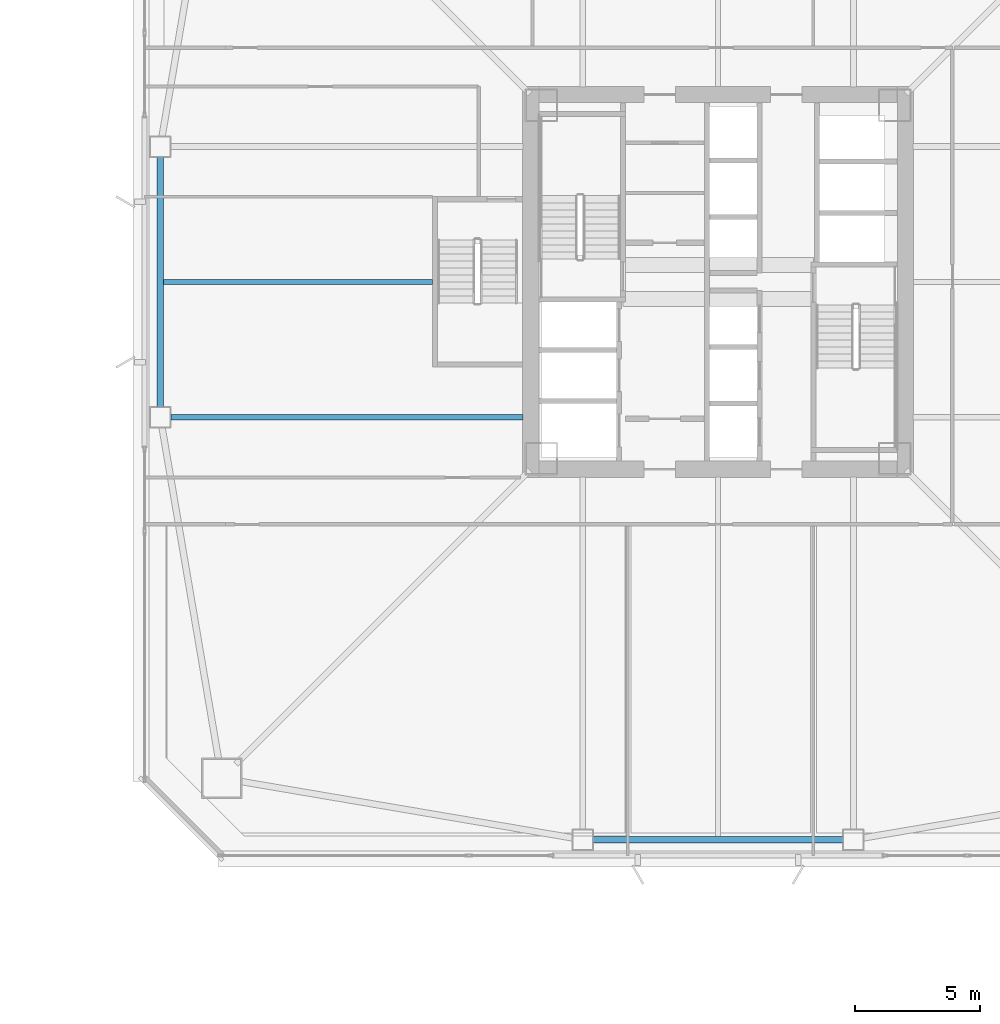
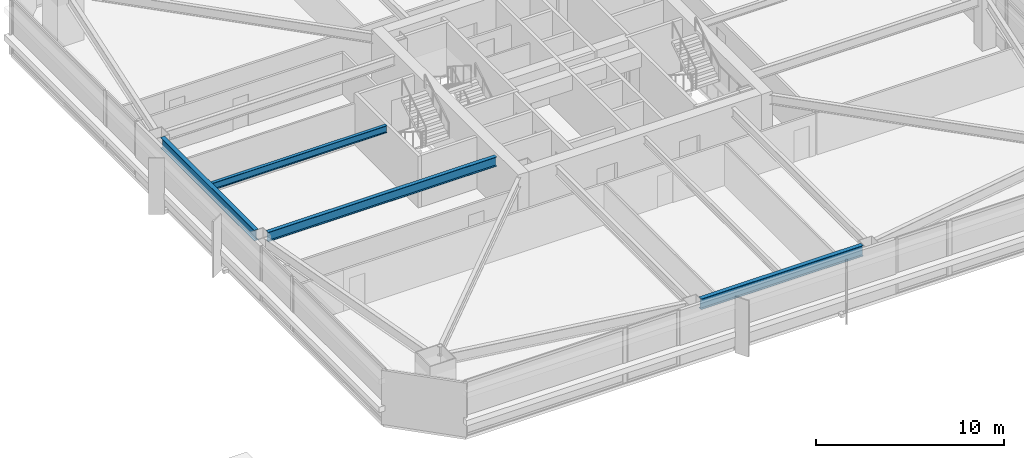
# One storey, part 6 of 62: 4 beams.
"""IFC4 building model written with IfcOpenShell, lengths in metres."""

from ifc_helpers import new_model, si_unit, direction, frame, origin, origin_2d, place, context, subcontext, project, spatial, i_section, extrude, material, material_profile, profile_set, type_object, element, save


model = new_model("IFC4")

# Units and contexts
model_context = context("Model", 3, precision=1e-05, world=origin(), true_north=direction((0.0, 1.0)))
body_context = subcontext(model_context, "Body", "Model", "MODEL_VIEW")
ifc_project = project(units=[si_unit("LENGTHUNIT", "METRE"), si_unit("AREAUNIT", "SQUARE_METRE"), si_unit("VOLUMEUNIT", "CUBIC_METRE"), si_unit("PLANEANGLEUNIT", "RADIAN"), si_unit("MASSUNIT", "GRAM", prefix="KILO")], contexts=[model_context])

# Site, building, storey
site_placement = place(None, origin())
site = spatial("IfcSite", under=ifc_project, at=site_placement, CompositionType="ELEMENT")
building_placement = place(site_placement, origin())
building = spatial("IfcBuilding", under=site, at=building_placement, Name="Tashvorn Skyway Center", CompositionType="ELEMENT")
storey_placement = place(building_placement, frame((0.0, 0.0, 28.14990234375)))
storey = spatial("IfcBuildingStorey", under=building, at=storey_placement, Name="L06", CompositionType="ELEMENT", Elevation=28.14990234375)

# Beams
ifc_material = material(Name="Steel ASTM A992 Grade 50", Category="steel")
ifc_material_profile_1 = material_profile(ifc_material, i_section(OverallWidth=0.22998046875, OverallDepth=0.616943359375, WebThickness=0.01318359375, FlangeThickness=0.022216796875, at=origin_2d()), Name="W24X94")
ifc_profile_set_1 = profile_set([ifc_material_profile_1], Name="Steel ASTM A992 Grade 50")
beam_type_1 = type_object("IfcBeamType", Name="BM-BEAM-W24X94", PredefinedType="BEAM", material=ifc_profile_set_1)
beam_1_placement = place(storey_placement, frame((20.169921875, 26.60009765625, 3.04150390625), z_axis=(1.0, 0.0, 0.0), x_axis=(0.0, 1.0, 0.0)))
element("IfcBeam", 1, at=beam_1_placement, inside=storey, type_object=beam_type_1, Name="Tower 1 L06 Primary Floor Girder FC-W2", PredefinedType="BEAM", context=body_context, shape_type="SweptSolid", body=[
    extrude(i_section(OverallWidth=0.22998046875, OverallDepth=0.616943359375, WebThickness=0.01318359375, FlangeThickness=0.022216796875, at=origin_2d()), origin(), (0.0, 0.0, 1.0), 14.050048828125),
])
ifc_material_profile_2 = material_profile(ifc_material, i_section(OverallWidth=0.19091796875, OverallDepth=0.4599609375, WebThickness=0.010009765625, FlangeThickness=0.01611328125, at=origin_2d()), Name="W18X55")
ifc_profile_set_2 = profile_set([ifc_material_profile_2], Name="Steel ASTM A992 Grade 50")
beam_type_2 = type_object("IfcBeamType", Name="BM-JOIST-W18X55", PredefinedType="JOIST", material=ifc_profile_set_2)
beam_2_placement = place(storey_placement, frame((30.610107421875, 32.0, 3.1201171875), z_axis=(-1.0, 0.0, 0.0), x_axis=(0.0, -1.0, 0.0)))
element("IfcBeam", 2, at=beam_2_placement, inside=storey, type_object=beam_type_2, Name="Tower 1 L06 Secondary Composite Joist JW", PredefinedType="JOIST", context=body_context, shape_type="SweptSolid", body=[
    extrude(i_section(OverallWidth=0.19091796875, OverallDepth=0.4599609375, WebThickness=0.010009765625, FlangeThickness=0.01611328125, at=origin_2d()), origin(), (0.0, 0.0, 1.0), 10.739990234375),
])
ifc_material_profile_3 = material_profile(ifc_material, i_section(OverallWidth=0.256103515625, OverallDepth=0.693115234375, WebThickness=0.014404296875, FlangeThickness=0.023681640625, at=origin_2d()), Name="W27X114")
ifc_profile_set_3 = profile_set([ifc_material_profile_3], Name="Steel ASTM A992 Grade 50")
beam_type_3 = type_object("IfcBeamType", Name="BM-SPANDREL-W27X114", PredefinedType="SPANDREL", material=ifc_profile_set_3)
for number, where, z_axis, x_axis, name in (
    (3, (37.02001953125, 9.75, 3.003662109375), (1.0, 0.0, 0.0), (0.0, 1.0, 0.0), "Tower 1 L06 Spandrel Beam 02"),
    (4, (19.75, 36.97998046875, 3.003662109375), (0.0, -1.0, 0.0), (1.0, 0.0, 0.0), "Tower 1 L06 Spandrel Beam 11"),
):
    element("IfcBeam", number, at=place(storey_placement, frame(where, z_axis=z_axis, x_axis=x_axis)), inside=storey, type_object=beam_type_3, Name=name, PredefinedType="SPANDREL", context=body_context, shape_type="SweptSolid", body=[
        extrude(i_section(OverallWidth=0.256103515625, OverallDepth=0.693115234375, WebThickness=0.014404296875, FlangeThickness=0.023681640625, at=origin_2d()), origin(), (0.0, 0.0, 1.0), 9.9599609375),
    ])

save(model, "model.ifc")
